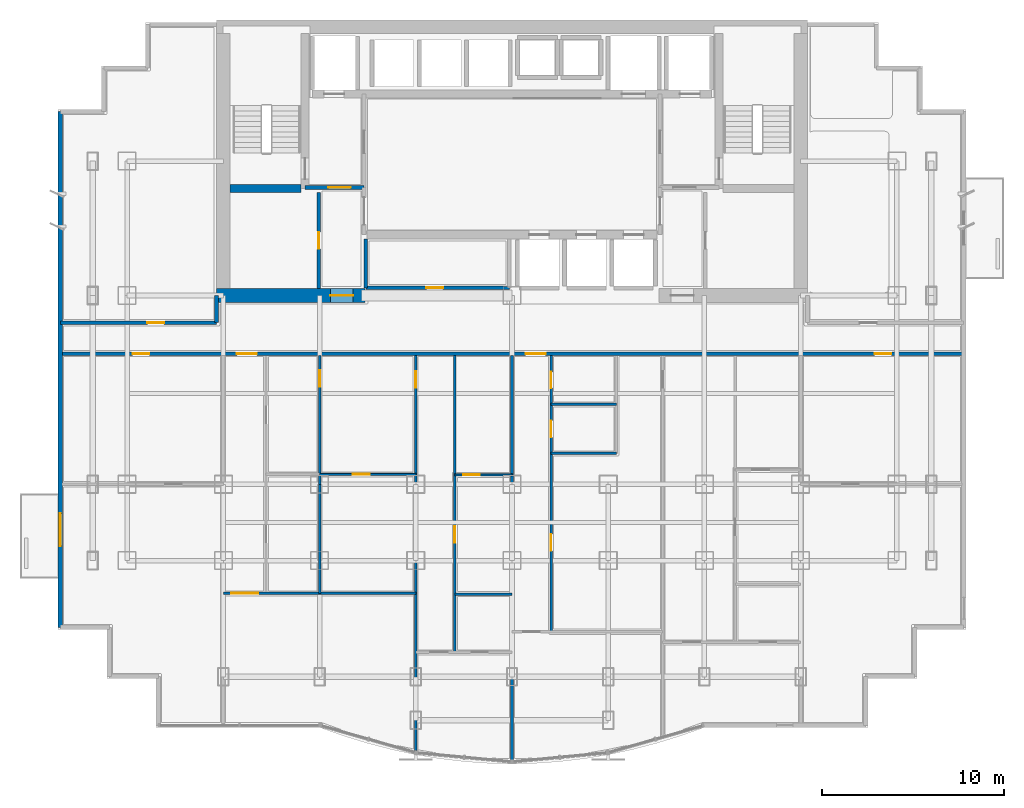
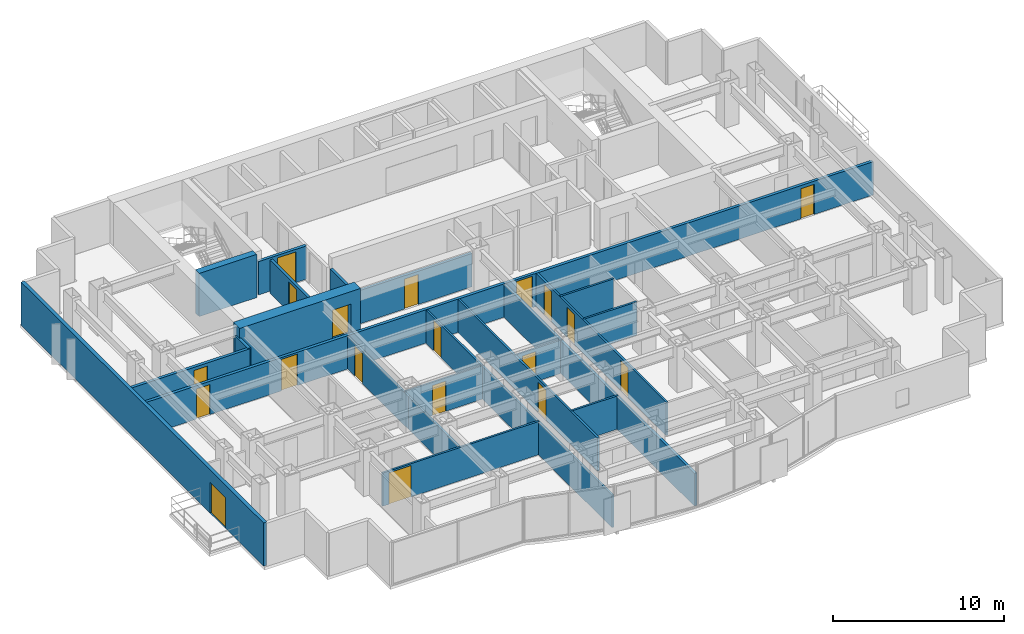
# One storey, part 5 of 10: 22 walls, 19 doors, 19 openings.
"""IFC4 building model written with IfcOpenShell, lengths in metres."""

from ifc_helpers import new_model, si_unit, direction, frame, frame_2d, origin, place, context, subcontext, project, spatial, rectangle, extrude, material, layer, layer_set, type_object, element, fill, save


model = new_model("IFC4")

# Units and contexts
model_context = context("Model", 3, precision=1e-05, world=origin(), true_north=direction((0.0, 1.0)))
body_context = subcontext(model_context, "Body", "Model", "MODEL_VIEW")
ifc_project = project(units=[si_unit("LENGTHUNIT", "METRE"), si_unit("AREAUNIT", "SQUARE_METRE"), si_unit("VOLUMEUNIT", "CUBIC_METRE"), si_unit("PLANEANGLEUNIT", "RADIAN"), si_unit("MASSUNIT", "GRAM", prefix="KILO")], contexts=[model_context])

# Site, building, storey
site_placement = place(None, origin())
site = spatial("IfcSite", under=ifc_project, at=site_placement, CompositionType="ELEMENT")
building_placement = place(site_placement, origin())
building = spatial("IfcBuilding", under=site, at=building_placement, Name="Qianlan Lanfeng Residences", CompositionType="ELEMENT")
storey_placement = place(building_placement, frame((0.0, 0.0, 98.199951171875)))
storey = spatial("IfcBuildingStorey", under=building, at=storey_placement, Name="L26", CompositionType="ELEMENT", Elevation=98.199951171875)

# Wall
ifc_material_1 = material(Name="Concrete C60", Category="concrete")
ifc_layer_1 = layer(ifc_material_1, 0.449951171875)
ifc_layer_set_1 = layer_set([ifc_layer_1], Name="Concrete C60")
wall_type_1 = type_object("IfcWallType", Name="CW-RC-450", PredefinedType="SHEAR", material=ifc_layer_set_1)
wall_1_placement = place(storey_placement, frame((10.97509765625, 31.10009765625, 0.0), z_axis=(0.0, 0.0, 1.0), x_axis=(1.0, 0.0, 0.0)))
element("IfcWall", 1, at=wall_1_placement, inside=storey, type_object=wall_type_1, Name="L26 Core Shear Wall ST1S", PredefinedType="SHEAR", context=body_context, shape_type="SweptSolid", body=[
    extrude(rectangle(XDim=3.89990234375, YDim=0.449951171875, at=frame_2d((1.949951171875, 0.0))), origin(), (0.0, 0.0, 1.0), 3.090087890625),
])

# Wall, opening, door
ifc_layer_2 = layer(ifc_material_1, 0.75)
ifc_layer_set_2 = layer_set([ifc_layer_2], Name="Concrete C60")
wall_type_2 = type_object("IfcWallType", Name="CW-RC-750", PredefinedType="SHEAR", material=ifc_layer_set_2)
wall_2_placement = place(storey_placement, frame((10.22509765625, 25.199951171875, 0.0), z_axis=(0.0, 0.0, 1.0), x_axis=(1.0, 0.0, 0.0)))
wall_2 = element("IfcWall", 2, at=wall_2_placement, inside=storey, type_object=wall_type_2, Name="L26 Core Shear Wall SW", PredefinedType="SHEAR", context=body_context, shape_type="SweptSolid", body=[
    extrude(rectangle(XDim=8.1748046875, YDim=0.75, at=frame_2d((4.08740234375, 0.0))), origin(), (0.0, 0.0, 1.0), 3.090087890625),
])
opening_1_placement = place(wall_2_placement, frame((6.27490234375, 0.0, 0.0)))
opening_1 = element("IfcOpeningElement", 3, at=opening_1_placement, cuts=wall_2, Name="Opening L26-D01", PredefinedType="OPENING", context=body_context, shape_type="SweptSolid", body=[
    extrude(rectangle(XDim=1.25, YDim=2.199951171875, at=frame_2d((0.625, 1.10009765625))), frame((0.0, 0.385009765625, 0.0), z_axis=(0.0, -1.0, 0.0), x_axis=(1.0, 0.0, 0.0)), (0.0, 0.0, 1.0), 0.77001953125),
])
ifc_material_2 = material(Name="Painted Galvanised Steel Fire Door", Category="steel")
door_type_1 = type_object("IfcDoorType", Name="DT-FFL", OperationType="NOTDEFINED", PredefinedType="DOOR", material=ifc_material_2)
door_1_placement = place(opening_1_placement, origin())
door_1 = element("IfcDoor", 4, at=door_1_placement, inside=storey, type_object=door_type_1, Name="L26 West Core Lobby Smoke Door L26-D01 (DT-FFL)", OperationType="SINGLE_SWING_RIGHT", OverallHeight=2.199951171875, OverallWidth=1.25, PredefinedType="DOOR", context=body_context, shape_type="SweptSolid", body=[
    extrude(rectangle(XDim=1.25, YDim=2.199951171875, at=frame_2d((0.625, 1.10009765625))), frame((0.0, 0.02490234375, 0.0), z_axis=(0.0, -1.0, 0.0), x_axis=(1.0, 0.0, 0.0)), (0.0, 0.0, 1.0), 0.050048828125),
])
fill(opening_1, door_1)

ifc_material_3 = material(Name="Concrete C42", Category="concrete")
ifc_layer_3 = layer(ifc_material_3, 0.239990234375)
ifc_layer_set_3 = layer_set([ifc_layer_3], Name="Concrete C42")
wall_type_3 = type_object("IfcWallType", Name="EW-240", PredefinedType="SOLIDWALL", material=ifc_layer_set_3)
wall_3_placement = place(storey_placement, frame((1.6201171875, 35.330078125, 0.0), z_axis=(0.0, 0.0, 1.0), x_axis=(0.0, -1.0, 0.0)))
wall_3 = element("IfcWall", 5, at=wall_3_placement, inside=storey, type_object=wall_type_3, Name="L26 Terrace/Balcony Access Exterior Wall 21", PredefinedType="SOLIDWALL", context=body_context, shape_type="SweptSolid", body=[
    extrude(rectangle(XDim=28.41015625, YDim=0.239990234375, at=frame_2d((14.205078125, 0.0))), origin(), (0.0, 0.0, 1.0), 3.090087890625),
])
opening_2_placement = place(wall_3_placement, frame((22.1298828125, 0.0, 0.0)))
opening_2 = element("IfcOpeningElement", 6, at=opening_2_placement, cuts=wall_3, Name="Opening L26-D-WB-S", PredefinedType="OPENING", context=body_context, shape_type="SweptSolid", body=[
    extrude(rectangle(XDim=1.800048828125, YDim=2.199951171875, at=frame_2d((0.89990234375, 1.10009765625))), frame((0.0, 0.1298828125, 0.0), z_axis=(0.0, -1.0, 0.0), x_axis=(1.0, 0.0, 0.0)), (0.0, 0.0, 1.0), 0.260009765625),
])
ifc_material_4 = material(Name="Anodised Bronze Aluminium Framed Glass", Category="aluminium")
door_type_2 = type_object("IfcDoorType", Name="DT-BAL1", OperationType="NOTDEFINED", PredefinedType="DOOR", material=ifc_material_4)
door_2_placement = place(opening_2_placement, frame((1.800048828125, 0.0, 0.0), z_axis=(0.0, 0.0, 1.0), x_axis=(-1.0, 0.0, 0.0)))
door_2 = element("IfcDoor", 7, at=door_2_placement, inside=storey, type_object=door_type_2, Name="L26 Exterior Access Door WB-S", OperationType="DOUBLE_DOOR_SLIDING", OverallHeight=2.199951171875, OverallWidth=1.800048828125, PredefinedType="DOOR", context=body_context, shape_type="SweptSolid", body=[
    extrude(rectangle(XDim=1.800048828125, YDim=2.199951171875, at=frame_2d((0.89990234375, 1.10009765625))), frame((0.0, 0.02490234375, 0.0), z_axis=(0.0, -1.0, 0.0), x_axis=(1.0, 0.0, 0.0)), (0.0, 0.0, 1.0), 0.050048828125),
])
fill(opening_2, door_2)

ifc_material_5 = material(Name="Demountable Acoustic Framing Partition 110 mm")
ifc_layer_4 = layer(ifc_material_5, 0.110107421875)
ifc_layer_set_4 = layer_set([ifc_layer_4], Name="Demountable Acoustic Framing Partition 110 mm")
wall_type_4 = type_object("IfcWallType", Name="PW-110", PredefinedType="MOVABLE", material=ifc_layer_set_4)
wall_4_placement = place(storey_placement, frame((15.89990234375, 15.344970703125, 0.0), z_axis=(0.0, 0.0, 1.0), x_axis=(1.0, 0.0, 0.0)))
wall_4 = element("IfcWall", 8, at=wall_4_placement, inside=storey, type_object=wall_type_4, Name="L26 U01 Study Split", PredefinedType="MOVABLE", context=body_context, shape_type="SweptSolid", body=[
    extrude(rectangle(XDim=5.300048828125, YDim=0.110107421875, at=frame_2d((2.64990234375, 0.0))), origin(), (0.0, 0.0, 1.0), 2.380126953125),
])
opening_3_placement = place(wall_4_placement, frame((1.840087890625, 0.0, 0.0)))
opening_3 = element("IfcOpeningElement", 9, at=opening_3_placement, cuts=wall_4, Name="Opening L26-D20", PredefinedType="OPENING", context=body_context, shape_type="SweptSolid", body=[
    extrude(rectangle(XDim=0.919921875, YDim=2.14990234375, at=frame_2d((0.4599609375, 1.074951171875))), frame((0.0, 0.06494140625, 0.0), z_axis=(0.0, -1.0, 0.0), x_axis=(1.0, 0.0, 0.0)), (0.0, 0.0, 1.0), 0.130126953125),
])
ifc_material_6 = material(Name="Glazed Timber Kitchen/Study Door", Category="wood")
door_type_3 = type_object("IfcDoorType", Name="DT-INT", OperationType="NOTDEFINED", PredefinedType="DOOR", material=ifc_material_6)
door_3_placement = place(opening_3_placement, origin())
door_3 = element("IfcDoor", 10, at=door_3_placement, inside=storey, type_object=door_type_3, Name="L26 U01 Study Inner Door L26-D20 (DT-INT)", OperationType="SINGLE_SWING_LEFT", OverallHeight=2.14990234375, OverallWidth=0.919921875, PredefinedType="DOOR", context=body_context, shape_type="SweptSolid", body=[
    extrude(rectangle(XDim=0.919921875, YDim=2.14990234375, at=frame_2d((0.4599609375, 1.074951171875))), frame((0.0, 0.02490234375, 0.0), z_axis=(0.0, -1.0, 0.0), x_axis=(1.0, 0.0, 0.0)), (0.0, 0.0, 1.0), 0.050048828125),
])
fill(opening_3, door_3)

wall_5_placement = place(storey_placement, frame((23.35009765625, 15.322998046875, 0.0), z_axis=(0.0, 0.0, 1.0), x_axis=(1.0, 0.0, 0.0)))
wall_5 = element("IfcWall", 11, at=wall_5_placement, inside=storey, type_object=wall_type_4, Name="L26 U01 Wardrobe Split", PredefinedType="MOVABLE", context=body_context, shape_type="SweptSolid", body=[
    extrude(rectangle(XDim=3.14990234375, YDim=0.110107421875, at=frame_2d((1.574951171875, 0.0))), origin(), (0.0, 0.0, 1.0), 2.380126953125),
])
opening_4_placement = place(wall_5_placement, frame((0.465087890625, 0.0, 0.0)))
opening_4 = element("IfcOpeningElement", 12, at=opening_4_placement, cuts=wall_5, Name="Opening L26-D24", PredefinedType="OPENING", context=body_context, shape_type="SweptSolid", body=[
    extrude(rectangle(XDim=0.919921875, YDim=2.14990234375, at=frame_2d((0.4599609375, 1.074951171875))), frame((0.0, 0.06494140625, 0.0), z_axis=(0.0, -1.0, 0.0), x_axis=(1.0, 0.0, 0.0)), (0.0, 0.0, 1.0), 0.130126953125),
])
door_4_placement = place(opening_4_placement, origin())
door_4 = element("IfcDoor", 13, at=door_4_placement, inside=storey, type_object=door_type_3, Name="L26 U01 Dressing Inner Door L26-D24 (DT-INT)", OperationType="SINGLE_SWING_RIGHT", OverallHeight=2.14990234375, OverallWidth=0.919921875, PredefinedType="DOOR", context=body_context, shape_type="SweptSolid", body=[
    extrude(rectangle(XDim=0.919921875, YDim=2.14990234375, at=frame_2d((0.4599609375, 1.074951171875))), frame((0.0, 0.02490234375, 0.0), z_axis=(0.0, -1.0, 0.0), x_axis=(1.0, 0.0, 0.0)), (0.0, 0.0, 1.0), 0.050048828125),
])
fill(opening_4, door_4)

ifc_material_7 = material(Name="Moisture-Resistant Gypsum Partition 135 mm")
ifc_layer_5 = layer(ifc_material_7, 0.135009765625)
ifc_layer_set_5 = layer_set([ifc_layer_5], Name="Moisture-Resistant Gypsum Partition 135 mm")
wall_type_5 = type_object("IfcWallType", Name="PW-135", PredefinedType="PARTITIONING", material=ifc_layer_set_5)
wall_6_placement = place(storey_placement, frame((15.89990234375, 14.800048828125, 0.0), z_axis=(0.0, 0.0, 1.0), x_axis=(0.0, 1.0, 0.0)))
wall_6 = element("IfcWall", 14, at=wall_6_placement, inside=storey, type_object=wall_type_5, Name="L26 U01 North Spine Wall", PredefinedType="PARTITIONING", context=body_context, shape_type="SweptSolid", body=[
    extrude(rectangle(XDim=7.099853515625, YDim=0.135009765625, at=frame_2d((3.5498046875, 0.0))), origin(), (0.0, 0.0, 1.0), 2.3349609375),
])
opening_5_placement = place(wall_6_placement, frame((5.364990234375, 0.0, 0.0)))
opening_5 = element("IfcOpeningElement", 15, at=opening_5_placement, cuts=wall_6, Name="Opening L26-D15", PredefinedType="OPENING", context=body_context, shape_type="SweptSolid", body=[
    extrude(rectangle(XDim=0.919921875, YDim=2.14990234375, at=frame_2d((0.4599609375, 1.074951171875))), frame((0.0, 0.07763671875, 0.0), z_axis=(0.0, -1.0, 0.0), x_axis=(1.0, 0.0, 0.0)), (0.0, 0.0, 1.0), 0.155029296875),
])
door_5_placement = place(opening_5_placement, origin())
door_5 = element("IfcDoor", 16, at=door_5_placement, inside=storey, type_object=door_type_3, Name="L26 U01 North Suite Door L26-D15 (DT-INT)", OperationType="SINGLE_SWING_RIGHT", OverallHeight=2.14990234375, OverallWidth=0.919921875, PredefinedType="DOOR", context=body_context, shape_type="SweptSolid", body=[
    extrude(rectangle(XDim=0.919921875, YDim=2.14990234375, at=frame_2d((0.4599609375, 1.074951171875))), frame((0.0, 0.02490234375, 0.0), z_axis=(0.0, -1.0, 0.0), x_axis=(1.0, 0.0, 0.0)), (0.0, 0.0, 1.0), 0.050048828125),
])
fill(opening_5, door_5)

wall_7_placement = place(storey_placement, frame((21.199951171875, 0.126953125, 0.0), z_axis=(0.0, 0.0, 1.0), x_axis=(0.0, 1.0, 0.0)))
wall_7 = element("IfcWall", 17, at=wall_7_placement, inside=storey, type_object=wall_type_5, Name="L26 U01 Bay Spine Wall 2", PredefinedType="PARTITIONING", context=body_context, shape_type="SweptSolid", body=[
    extrude(rectangle(XDim=21.77294921875, YDim=0.135009765625, at=frame_2d((10.886474609375, 0.0))), origin(), (0.0, 0.0, 1.0), 2.3349609375),
])
opening_6_placement = place(wall_7_placement, frame((19.988037109375, 0.0, 0.0)))
opening_6 = element("IfcOpeningElement", 18, at=opening_6_placement, cuts=wall_7, Name="Opening L26-D16", PredefinedType="OPENING", context=body_context, shape_type="SweptSolid", body=[
    extrude(rectangle(XDim=0.919921875, YDim=2.14990234375, at=frame_2d((0.4599609375, 1.074951171875))), frame((0.0, 0.07763671875, 0.0), z_axis=(0.0, -1.0, 0.0), x_axis=(1.0, 0.0, 0.0)), (0.0, 0.0, 1.0), 0.155029296875),
])
door_6_placement = place(opening_6_placement, origin())
door_6 = element("IfcDoor", 19, at=door_6_placement, inside=storey, type_object=door_type_3, Name="L26 U01 Internal Hall Door L26-D16 (DT-INT)", OperationType="SINGLE_SWING_LEFT", OverallHeight=2.14990234375, OverallWidth=0.919921875, PredefinedType="DOOR", context=body_context, shape_type="SweptSolid", body=[
    extrude(rectangle(XDim=0.919921875, YDim=2.14990234375, at=frame_2d((0.4599609375, 1.074951171875))), frame((0.0, 0.02490234375, 0.0), z_axis=(0.0, -1.0, 0.0), x_axis=(1.0, 0.0, 0.0)), (0.0, 0.0, 1.0), 0.050048828125),
])
fill(opening_6, door_6)

# Wall
wall_8_placement = place(storey_placement, frame((15.89990234375, 8.7900390625, 0.0), z_axis=(0.0, 0.0, 1.0), x_axis=(0.0, 1.0, 0.0)))
element("IfcWall", 20, at=wall_8_placement, inside=storey, type_object=wall_type_5, Name="L26 U01 Mid Column Wall", PredefinedType="PARTITIONING", context=body_context, shape_type="SweptSolid", body=[
    extrude(rectangle(XDim=6.010009765625, YDim=0.135009765625, at=frame_2d((3.0048828125, 0.0))), origin(), (0.0, 0.0, 1.0), 2.3349609375),
])

# Wall, opening, door
wall_9_placement = place(storey_placement, frame((10.60009765625, 8.7900390625, 0.0), z_axis=(0.0, 0.0, 1.0), x_axis=(1.0, 0.0, 0.0)))
wall_9 = element("IfcWall", 21, at=wall_9_placement, inside=storey, type_object=wall_type_5, Name="L26 U01 Grand Living North Wall", PredefinedType="PARTITIONING", context=body_context, shape_type="SweptSolid", body=[
    extrude(rectangle(XDim=10.599853515625, YDim=0.135009765625, at=frame_2d((5.2998046875, 0.0))), origin(), (0.0, 0.0, 1.0), 2.380126953125),
])
opening_7_placement = place(wall_9_placement, frame((0.425048828125, 0.0, 0.0)))
opening_7 = element("IfcOpeningElement", 22, at=opening_7_placement, cuts=wall_9, Name="Opening L26-D17", PredefinedType="OPENING", context=body_context, shape_type="SweptSolid", body=[
    extrude(rectangle(XDim=1.5, YDim=2.25, at=frame_2d((0.75, 1.125))), frame((0.0, 0.07763671875, 0.0), z_axis=(0.0, -1.0, 0.0), x_axis=(1.0, 0.0, 0.0)), (0.0, 0.0, 1.0), 0.155029296875),
])
ifc_material_8 = material(Name="Timber Veneer Acoustic Fire Door", Category="wood")
door_type_4 = type_object("IfcDoorType", Name="DT-COR1", OperationType="NOTDEFINED", PredefinedType="DOOR", material=ifc_material_8)
door_7_placement = place(opening_7_placement, origin())
door_7 = element("IfcDoor", 23, at=door_7_placement, inside=storey, type_object=door_type_4, Name="L26 U01 Grand Living Door L26-D17 (DT-COR1)", OperationType="DOUBLE_DOOR_SINGLE_SWING", OverallHeight=2.25, OverallWidth=1.5, PredefinedType="DOOR", context=body_context, shape_type="SweptSolid", body=[
    extrude(rectangle(XDim=1.5, YDim=2.25, at=frame_2d((0.75, 1.125))), frame((0.0, 0.02490234375, 0.0), z_axis=(0.0, -1.0, 0.0), x_axis=(1.0, 0.0, 0.0)), (0.0, 0.0, 1.0), 0.050048828125),
])
fill(opening_7, door_7)

wall_10_placement = place(storey_placement, frame((23.35009765625, 5.547119140625, 0.0), z_axis=(0.0, 0.0, 1.0), x_axis=(0.0, 1.0, 0.0)))
wall_10 = element("IfcWall", 24, at=wall_10_placement, inside=storey, type_object=wall_type_5, Name="L26 U01 Master Passage Wall", PredefinedType="PARTITIONING", context=body_context, shape_type="SweptSolid", body=[
    extrude(rectangle(XDim=16.352783203125, YDim=0.135009765625, at=frame_2d((8.17626953125, 0.0))), origin(), (0.0, 0.0, 1.0), 2.380126953125),
])
opening_8_placement = place(wall_10_placement, frame((6.028076171875, 0.0, 0.0)))
opening_8 = element("IfcOpeningElement", 25, at=opening_8_placement, cuts=wall_10, Name="Opening L26-D23", PredefinedType="OPENING", context=body_context, shape_type="SweptSolid", body=[
    extrude(rectangle(XDim=0.919921875, YDim=2.14990234375, at=frame_2d((0.4599609375, 1.074951171875))), frame((0.0, 0.07763671875, 0.0), z_axis=(0.0, -1.0, 0.0), x_axis=(1.0, 0.0, 0.0)), (0.0, 0.0, 1.0), 0.155029296875),
])
door_8_placement = place(opening_8_placement, origin())
door_8 = element("IfcDoor", 26, at=door_8_placement, inside=storey, type_object=door_type_3, Name="L26 U01 Wardrobe Door L26-D23 (DT-INT)", OperationType="SINGLE_SWING_RIGHT", OverallHeight=2.14990234375, OverallWidth=0.919921875, PredefinedType="DOOR", context=body_context, shape_type="SweptSolid", body=[
    extrude(rectangle(XDim=0.919921875, YDim=2.14990234375, at=frame_2d((0.4599609375, 1.074951171875))), frame((0.0, 0.02490234375, 0.0), z_axis=(0.0, -1.0, 0.0), x_axis=(1.0, 0.0, 0.0)), (0.0, 0.0, 1.0), 0.050048828125),
])
fill(opening_8, door_8)

# Wall
wall_11_placement = place(storey_placement, frame((23.35009765625, 8.7470703125, 0.0), z_axis=(0.0, 0.0, 1.0), x_axis=(1.0, 0.0, 0.0)))
element("IfcWall", 27, at=wall_11_placement, inside=storey, type_object=wall_type_5, Name="L26 U01 En-Suite North Wall", PredefinedType="PARTITIONING", context=body_context, shape_type="SweptSolid", body=[
    extrude(rectangle(XDim=3.14990234375, YDim=0.135009765625, at=frame_2d((1.574951171875, 0.0))), origin(), (0.0, 0.0, 1.0), 2.380126953125),
])

# Wall, openings, doors
wall_12_placement = place(storey_placement, frame((28.64990234375, 6.680908203125, 0.0), z_axis=(0.0, 0.0, 1.0), x_axis=(0.0, 1.0, 0.0)))
wall_12 = element("IfcWall", 28, at=wall_12_placement, inside=storey, type_object=wall_type_5, Name="L26 U02 Entry Hall Spine", PredefinedType="PARTITIONING", context=body_context, shape_type="SweptSolid", body=[
    extrude(rectangle(XDim=15.218994140625, YDim=0.135009765625, at=frame_2d((7.609375, 0.0))), origin(), (0.0, 0.0, 1.0), 2.380126953125),
])
opening_9_placement = place(wall_12_placement, frame((4.449951171875, 0.0, 0.0)))
opening_9 = element("IfcOpeningElement", 29, at=opening_9_placement, cuts=wall_12, Name="Opening L26-D28", PredefinedType="OPENING", context=body_context, shape_type="SweptSolid", body=[
    extrude(rectangle(XDim=0.919921875, YDim=2.14990234375, at=frame_2d((0.4599609375, 1.074951171875))), frame((0.0, 0.07763671875, 0.0), z_axis=(0.0, -1.0, 0.0), x_axis=(1.0, 0.0, 0.0)), (0.0, 0.0, 1.0), 0.155029296875),
])
opening_10_placement = place(wall_12_placement, frame((10.708984375, 0.0, 0.0)))
opening_10 = element("IfcOpeningElement", 30, at=opening_10_placement, cuts=wall_12, Name="Opening L26-D29", PredefinedType="OPENING", context=body_context, shape_type="SweptSolid", body=[
    extrude(rectangle(XDim=0.919921875, YDim=2.14990234375, at=frame_2d((0.4599609375, 1.074951171875))), frame((0.0, 0.07763671875, 0.0), z_axis=(0.0, -1.0, 0.0), x_axis=(1.0, 0.0, 0.0)), (0.0, 0.0, 1.0), 0.155029296875),
])
opening_11_placement = place(wall_12_placement, frame((13.4189453125, 0.0, 0.0)))
opening_11 = element("IfcOpeningElement", 31, at=opening_11_placement, cuts=wall_12, Name="Opening L26-D30", PredefinedType="OPENING", context=body_context, shape_type="SweptSolid", body=[
    extrude(rectangle(XDim=0.89990234375, YDim=2.14990234375, at=frame_2d((0.449951171875, 1.074951171875))), frame((0.0, 0.07763671875, 0.0), z_axis=(0.0, -1.0, 0.0), x_axis=(1.0, 0.0, 0.0)), (0.0, 0.0, 1.0), 0.155029296875),
])
door_9_placement = place(opening_9_placement, origin())
door_9 = element("IfcDoor", 32, at=door_9_placement, inside=storey, type_object=door_type_3, Name="L26 U02 Study Door L26-D28 (DT-INT)", OperationType="SINGLE_SWING_LEFT", OverallHeight=2.14990234375, OverallWidth=0.919921875, PredefinedType="DOOR", context=body_context, shape_type="SweptSolid", body=[
    extrude(rectangle(XDim=0.919921875, YDim=2.14990234375, at=frame_2d((0.4599609375, 1.074951171875))), frame((0.0, 0.02490234375, 0.0), z_axis=(0.0, -1.0, 0.0), x_axis=(1.0, 0.0, 0.0)), (0.0, 0.0, 1.0), 0.050048828125),
])
fill(opening_9, door_9)
door_10_placement = place(opening_10_placement, origin())
door_10 = element("IfcDoor", 33, at=door_10_placement, inside=storey, type_object=door_type_3, Name="L26 U02 Kitchen Door L26-D29 (DT-INT)", OperationType="SINGLE_SWING_RIGHT", OverallHeight=2.14990234375, OverallWidth=0.919921875, PredefinedType="DOOR", context=body_context, shape_type="SweptSolid", body=[
    extrude(rectangle(XDim=0.919921875, YDim=2.14990234375, at=frame_2d((0.4599609375, 1.074951171875))), frame((0.0, 0.02490234375, 0.0), z_axis=(0.0, -1.0, 0.0), x_axis=(1.0, 0.0, 0.0)), (0.0, 0.0, 1.0), 0.050048828125),
])
fill(opening_10, door_10)
ifc_material_9 = material(Name="Moisture-Resistant Timber Leaf", Category="wood")
door_type_5 = type_object("IfcDoorType", Name="DT-WC", OperationType="NOTDEFINED", PredefinedType="DOOR", material=ifc_material_9)
door_11_placement = place(opening_11_placement, origin())
door_11 = element("IfcDoor", 34, at=door_11_placement, inside=storey, type_object=door_type_5, Name="L26 U02 Bathroom Door L26-D30 (DT-WC)", OperationType="SINGLE_SWING_LEFT", OverallHeight=2.14990234375, OverallWidth=0.89990234375, PredefinedType="DOOR", context=body_context, shape_type="SweptSolid", body=[
    extrude(rectangle(XDim=0.89990234375, YDim=2.14990234375, at=frame_2d((0.449951171875, 1.074951171875))), frame((0.0, 0.02490234375, 0.0), z_axis=(0.0, -1.0, 0.0), x_axis=(1.0, 0.0, 0.0)), (0.0, 0.0, 1.0), 0.050048828125),
])
fill(opening_11, door_11)

# Walls
for number, where, z_axis, x_axis, name in (
    (35, (28.64990234375, 16.5, 0.0), (0.0, 0.0, 1.0), (1.0, 0.0, 0.0), "L26 U02 Kitchen South Wall"),
    (36, (28.64990234375, 19.199951171875, 0.0), (0.0, 0.0, 1.0), (1.0, 0.0, 0.0), "L26 U02 Bathroom South Wall"),
):
    element("IfcWall", number, at=place(storey_placement, frame(where, z_axis=z_axis, x_axis=x_axis)), inside=storey, type_object=wall_type_5, Name=name, PredefinedType="PARTITIONING", context=body_context, shape_type="SweptSolid", body=[
        extrude(rectangle(XDim=3.60009765625, YDim=0.135009765625, at=frame_2d((1.800048828125, 0.0))), origin(), (0.0, 0.0, 1.0), 2.380126953125),
    ])

# Wall, opening, door
ifc_material_10 = material(Name="Double-Layer Acoustic Gypsum Stud Wall 180 mm")
ifc_layer_6 = layer(ifc_material_10, 0.179931640625)
ifc_layer_set_6 = layer_set([ifc_layer_6], Name="Double-Layer Acoustic Gypsum Stud Wall 180 mm")
wall_type_6 = type_object("IfcWallType", Name="PW-180", PredefinedType="PARTITIONING", material=ifc_layer_set_6)
wall_13_placement = place(storey_placement, frame((15.85009765625, 25.574951171875, 0.0), z_axis=(0.0, 0.0, 1.0), x_axis=(0.0, 1.0, 0.0)))
wall_13 = element("IfcWall", 37, at=wall_13_placement, inside=storey, type_object=wall_type_6, Name="L26 Core West Service Room Wall", PredefinedType="PARTITIONING", context=body_context, shape_type="SweptSolid", body=[
    extrude(rectangle(XDim=5.300048828125, YDim=0.179931640625, at=frame_2d((2.64990234375, 0.0))), origin(), (0.0, 0.0, 1.0), 2.380126953125),
])
opening_12_placement = place(wall_13_placement, frame((2.18994140625, 0.0, 0.0)))
opening_12 = element("IfcOpeningElement", 38, at=opening_12_placement, cuts=wall_13, Name="Opening L26-D09", PredefinedType="OPENING", context=body_context, shape_type="SweptSolid", body=[
    extrude(rectangle(XDim=0.919921875, YDim=2.14990234375, at=frame_2d((0.4599609375, 1.074951171875))), frame((0.0, 0.10009765625, 0.0), z_axis=(0.0, -1.0, 0.0), x_axis=(1.0, 0.0, 0.0)), (0.0, 0.0, 1.0), 0.199951171875),
])
door_12_placement = place(opening_12_placement, origin())
door_12 = element("IfcDoor", 39, at=door_12_placement, inside=storey, type_object=door_type_3, Name="L26 Core Storage Door L26-D09 (DT-INT)", OperationType="SINGLE_SWING_RIGHT", OverallHeight=2.14990234375, OverallWidth=0.919921875, PredefinedType="DOOR", context=body_context, shape_type="SweptSolid", body=[
    extrude(rectangle(XDim=0.919921875, YDim=2.14990234375, at=frame_2d((0.4599609375, 1.074951171875))), frame((0.0, 0.02490234375, 0.0), z_axis=(0.0, -1.0, 0.0), x_axis=(1.0, 0.0, 0.0)), (0.0, 0.0, 1.0), 0.050048828125),
])
fill(opening_12, door_12)

# Wall
wall_14_placement = place(storey_placement, frame((18.449951171875, 25.6201171875, 0.0), z_axis=(0.0, 0.0, 1.0), x_axis=(0.0, 1.0, 0.0)))
element("IfcWall", 40, at=wall_14_placement, inside=storey, type_object=wall_type_6, Name="L26 Reclaimed Low-Bank Room West Wall", PredefinedType="PARTITIONING", context=body_context, shape_type="SweptSolid", body=[
    extrude(rectangle(XDim=2.704833984375, YDim=0.179931640625, at=frame_2d((1.3525390625, 0.0))), origin(), (0.0, 0.0, 1.0), 2.380126953125),
])

# Wall, opening, door
wall_15_placement = place(storey_placement, frame((18.449951171875, 25.6201171875, 0.0), z_axis=(0.0, 0.0, 1.0), x_axis=(1.0, 0.0, 0.0)))
wall_15 = element("IfcWall", 41, at=wall_15_placement, inside=storey, type_object=wall_type_6, Name="L26 Reclaimed Low-Bank Room South Wall", PredefinedType="PARTITIONING", context=body_context, shape_type="SweptSolid", body=[
    extrude(rectangle(XDim=7.900146484375, YDim=0.179931640625, at=frame_2d((3.9501953125, 0.0))), origin(), (0.0, 0.0, 1.0), 2.380126953125),
])
opening_13_placement = place(wall_15_placement, frame((3.340087890625, 0.0, 0.0)))
opening_13 = element("IfcOpeningElement", 42, at=opening_13_placement, cuts=wall_15, Name="Opening L26-D13", PredefinedType="OPENING", context=body_context, shape_type="SweptSolid", body=[
    extrude(rectangle(XDim=0.919921875, YDim=2.14990234375, at=frame_2d((0.4599609375, 1.074951171875))), frame((0.0, 0.10009765625, 0.0), z_axis=(0.0, -1.0, 0.0), x_axis=(1.0, 0.0, 0.0)), (0.0, 0.0, 1.0), 0.199951171875),
])
door_13_placement = place(opening_13_placement, origin())
door_13 = element("IfcDoor", 43, at=door_13_placement, inside=storey, type_object=door_type_3, Name="L26 Reclaimed Core Salon Door L26-D13 (DT-INT)", OperationType="SINGLE_SWING_RIGHT", OverallHeight=2.14990234375, OverallWidth=0.919921875, PredefinedType="DOOR", context=body_context, shape_type="SweptSolid", body=[
    extrude(rectangle(XDim=0.919921875, YDim=2.14990234375, at=frame_2d((0.4599609375, 1.074951171875))), frame((0.0, 0.02490234375, 0.0), z_axis=(0.0, -1.0, 0.0), x_axis=(1.0, 0.0, 0.0)), (0.0, 0.0, 1.0), 0.050048828125),
])
fill(opening_13, door_13)

# Wall
wall_16_placement = place(storey_placement, frame((26.5, -0.3798828125, 0.0), z_axis=(0.0, 0.0, 1.0), x_axis=(0.0, 1.0, 0.0)))
element("IfcWall", 44, at=wall_16_placement, inside=storey, type_object=wall_type_6, Name="L26 Inter-Tenancy Party Wall 2", PredefinedType="PARTITIONING", context=body_context, shape_type="SweptSolid", body=[
    extrude(rectangle(XDim=22.27978515625, YDim=0.179931640625, at=frame_2d((11.139892578125, 0.0))), origin(), (0.0, 0.0, 1.0), 2.3349609375),
])

# Wall, opening, door
ifc_material_11 = material(Name="Autoclaved Aerated Concrete Blockwork 200 mm", Category="masonry")
ifc_layer_7 = layer(ifc_material_11, 0.199951171875)
ifc_layer_set_7 = layer_set([ifc_layer_7], Name="Autoclaved Aerated Concrete Blockwork 200 mm")
wall_type_7 = type_object("IfcWallType", Name="PW-200", PredefinedType="PARTITIONING", material=ifc_layer_set_7)
wall_17_placement = place(storey_placement, frame((15.10009765625, 31.14990234375, 0.0), z_axis=(0.0, 0.0, 1.0), x_axis=(1.0, 0.0, 0.0)))
wall_17 = element("IfcWall", 45, at=wall_17_placement, inside=storey, type_object=wall_type_7, Name="L26 Firefighting Lobby 1 South Wall", PredefinedType="PARTITIONING", context=body_context, shape_type="SweptSolid", body=[
    extrude(rectangle(XDim=3.25, YDim=0.199951171875, at=frame_2d((1.625, 0.0))), origin(), (0.0, 0.0, 1.0), 2.380126953125),
])
opening_14_placement = place(wall_17_placement, frame((1.27490234375, 0.0, 0.0)))
opening_14 = element("IfcOpeningElement", 46, at=opening_14_placement, cuts=wall_17, Name="Opening L26-D03", PredefinedType="OPENING", context=body_context, shape_type="SweptSolid", body=[
    extrude(rectangle(XDim=1.25, YDim=2.199951171875, at=frame_2d((0.625, 1.10009765625))), frame((0.0, 0.10986328125, 0.0), z_axis=(0.0, -1.0, 0.0), x_axis=(1.0, 0.0, 0.0)), (0.0, 0.0, 1.0), 0.219970703125),
])
door_14_placement = place(opening_14_placement, origin())
door_14 = element("IfcDoor", 47, at=door_14_placement, inside=storey, type_object=door_type_1, Name="L26 Firefighting Lobby 1 Entry Door L26-D03 (DT-FFL)", OperationType="SINGLE_SWING_LEFT", OverallHeight=2.199951171875, OverallWidth=1.25, PredefinedType="DOOR", context=body_context, shape_type="SweptSolid", body=[
    extrude(rectangle(XDim=1.25, YDim=2.199951171875, at=frame_2d((0.625, 1.10009765625))), frame((0.0, 0.02490234375, 0.0), z_axis=(0.0, -1.0, 0.0), x_axis=(1.0, 0.0, 0.0)), (0.0, 0.0, 1.0), 0.050048828125),
])
fill(opening_14, door_14)

# Wall, openings, doors
wall_18_placement = place(storey_placement, frame((1.6201171875, 22.0, 0.0), z_axis=(0.0, 0.0, 1.0), x_axis=(1.0, 0.0, 0.0)))
wall_18 = element("IfcWall", 48, at=wall_18_placement, inside=storey, type_object=wall_type_7, Name="L26 Residential Corridor South Fire Wall", PredefinedType="PARTITIONING", context=body_context, shape_type="SweptSolid", body=[
    extrude(rectangle(XDim=49.759765625, YDim=0.199951171875, at=frame_2d((24.8798828125, 0.0))), origin(), (0.0, 0.0, 1.0), 2.380126953125),
])
opening_15_placement = place(wall_18_placement, frame((9.72998046875, 0.0, 0.0)))
opening_15 = element("IfcOpeningElement", 49, at=opening_15_placement, cuts=wall_18, Name="Opening L26-D14", PredefinedType="OPENING", context=body_context, shape_type="SweptSolid", body=[
    extrude(rectangle(XDim=1.10009765625, YDim=2.25, at=frame_2d((0.550048828125, 1.125))), frame((0.0, 0.10986328125, 0.0), z_axis=(0.0, -1.0, 0.0), x_axis=(1.0, 0.0, 0.0)), (0.0, 0.0, 1.0), 0.219970703125),
])
opening_16_placement = place(wall_18_placement, frame((25.6298828125, 0.0, 0.0)))
opening_16 = element("IfcOpeningElement", 50, at=opening_16_placement, cuts=wall_18, Name="Opening L26-D25", PredefinedType="OPENING", context=body_context, shape_type="SweptSolid", body=[
    extrude(rectangle(XDim=1.10009765625, YDim=2.25, at=frame_2d((0.550048828125, 1.125))), frame((0.0, 0.10986328125, 0.0), z_axis=(0.0, -1.0, 0.0), x_axis=(1.0, 0.0, 0.0)), (0.0, 0.0, 1.0), 0.219970703125),
])
opening_17_placement = place(wall_18_placement, frame((3.985107421875, 0.0, 0.0)))
opening_17 = element("IfcOpeningElement", 51, at=opening_17_placement, cuts=wall_18, Name="Opening L26-D36", PredefinedType="OPENING", context=body_context, shape_type="SweptSolid", body=[
    extrude(rectangle(XDim=0.919921875, YDim=2.14990234375, at=frame_2d((0.4599609375, 1.074951171875))), frame((0.0, 0.10986328125, 0.0), z_axis=(0.0, -1.0, 0.0), x_axis=(1.0, 0.0, 0.0)), (0.0, 0.0, 1.0), 0.219970703125),
])
opening_18_placement = place(wall_18_placement, frame((44.85498046875, 0.0, 0.0)))
opening_18 = element("IfcOpeningElement", 52, at=opening_18_placement, cuts=wall_18, Name="Opening L26-D38", PredefinedType="OPENING", context=body_context, shape_type="SweptSolid", body=[
    extrude(rectangle(XDim=0.919921875, YDim=2.14990234375, at=frame_2d((0.4599609375, 1.074951171875))), frame((0.0, 0.10986328125, 0.0), z_axis=(0.0, -1.0, 0.0), x_axis=(1.0, 0.0, 0.0)), (0.0, 0.0, 1.0), 0.219970703125),
])
door_15_placement = place(opening_17_placement, origin())
door_15 = element("IfcDoor", 53, at=door_15_placement, inside=storey, type_object=door_type_3, Name="L26 SWP Corridor Door L26-D36 (DT-INT)", OperationType="SINGLE_SWING_LEFT", OverallHeight=2.14990234375, OverallWidth=0.919921875, PredefinedType="DOOR", context=body_context, shape_type="SweptSolid", body=[
    extrude(rectangle(XDim=0.919921875, YDim=2.14990234375, at=frame_2d((0.4599609375, 1.074951171875))), frame((0.0, 0.02490234375, 0.0), z_axis=(0.0, -1.0, 0.0), x_axis=(1.0, 0.0, 0.0)), (0.0, 0.0, 1.0), 0.050048828125),
])
fill(opening_17, door_15)
door_16_placement = place(opening_18_placement, origin())
door_16 = element("IfcDoor", 54, at=door_16_placement, inside=storey, type_object=door_type_3, Name="L26 SEP Corridor Door L26-D38 (DT-INT)", OperationType="SINGLE_SWING_LEFT", OverallHeight=2.14990234375, OverallWidth=0.919921875, PredefinedType="DOOR", context=body_context, shape_type="SweptSolid", body=[
    extrude(rectangle(XDim=0.919921875, YDim=2.14990234375, at=frame_2d((0.4599609375, 1.074951171875))), frame((0.0, 0.02490234375, 0.0), z_axis=(0.0, -1.0, 0.0), x_axis=(1.0, 0.0, 0.0)), (0.0, 0.0, 1.0), 0.050048828125),
])
fill(opening_18, door_16)
ifc_material_12 = material(Name="Solid-Core Oak Veneer Fire Door")
door_type_6 = type_object("IfcDoorType", Name="DT-UNIT", OperationType="NOTDEFINED", PredefinedType="DOOR", material=ifc_material_12)
door_17_placement = place(opening_15_placement, origin())
door_17 = element("IfcDoor", 55, at=door_17_placement, inside=storey, type_object=door_type_6, Name="L26 Apartment U01 Entrance Door L26-D14 (DT-UNIT)", OperationType="SINGLE_SWING_RIGHT", OverallHeight=2.25, OverallWidth=1.10009765625, PredefinedType="DOOR", context=body_context, shape_type="SweptSolid", body=[
    extrude(rectangle(XDim=1.10009765625, YDim=2.25, at=frame_2d((0.550048828125, 1.125))), frame((0.0, 0.02490234375, 0.0), z_axis=(0.0, -1.0, 0.0), x_axis=(1.0, 0.0, 0.0)), (0.0, 0.0, 1.0), 0.050048828125),
])
fill(opening_15, door_17)
door_18_placement = place(opening_16_placement, origin())
door_18 = element("IfcDoor", 56, at=door_18_placement, inside=storey, type_object=door_type_6, Name="L26 Apartment U02 Entrance Door L26-D25 (DT-UNIT)", OperationType="SINGLE_SWING_RIGHT", OverallHeight=2.25, OverallWidth=1.10009765625, PredefinedType="DOOR", context=body_context, shape_type="SweptSolid", body=[
    extrude(rectangle(XDim=1.10009765625, YDim=2.25, at=frame_2d((0.550048828125, 1.125))), frame((0.0, 0.02490234375, 0.0), z_axis=(0.0, -1.0, 0.0), x_axis=(1.0, 0.0, 0.0)), (0.0, 0.0, 1.0), 0.050048828125),
])
fill(opening_16, door_18)

# Wall, opening, door
wall_19_placement = place(storey_placement, frame((1.6201171875, 23.699951171875, 0.0), z_axis=(0.0, 0.0, 1.0), x_axis=(1.0, 0.0, 0.0)))
wall_19 = element("IfcWall", 57, at=wall_19_placement, inside=storey, type_object=wall_type_7, Name="L26 Corridor NW Wall", PredefinedType="PARTITIONING", context=body_context, shape_type="SweptSolid", body=[
    extrude(rectangle(XDim=8.60498046875, YDim=0.199951171875, at=frame_2d((4.302490234375, 0.0))), origin(), (0.0, 0.0, 1.0), 2.380126953125),
])
opening_19_placement = place(wall_19_placement, frame((4.7919921875, 0.0, 0.0)))
opening_19 = element("IfcOpeningElement", 58, at=opening_19_placement, cuts=wall_19, Name="Opening L26-D39", PredefinedType="OPENING", context=body_context, shape_type="SweptSolid", body=[
    extrude(rectangle(XDim=0.919921875, YDim=2.14990234375, at=frame_2d((0.4599609375, 1.074951171875))), frame((0.0, 0.10986328125, 0.0), z_axis=(0.0, -1.0, 0.0), x_axis=(1.0, 0.0, 0.0)), (0.0, 0.0, 1.0), 0.219970703125),
])
door_19_placement = place(opening_19_placement, origin())
door_19 = element("IfcDoor", 59, at=door_19_placement, inside=storey, type_object=door_type_3, Name="L26 WW Amenity Salon Door L26-D39 (DT-INT)", OperationType="SINGLE_SWING_RIGHT", OverallHeight=2.14990234375, OverallWidth=0.919921875, PredefinedType="DOOR", context=body_context, shape_type="SweptSolid", body=[
    extrude(rectangle(XDim=0.919921875, YDim=2.14990234375, at=frame_2d((0.4599609375, 1.074951171875))), frame((0.0, 0.02490234375, 0.0), z_axis=(0.0, -1.0, 0.0), x_axis=(1.0, 0.0, 0.0)), (0.0, 0.0, 1.0), 0.050048828125),
])
fill(opening_19, door_19)

# Wall
wall_20_placement = place(storey_placement, frame((10.22509765625, 23.699951171875, 0.0), z_axis=(0.0, 0.0, 1.0), x_axis=(0.0, 1.0, 0.0)))
element("IfcWall", 60, at=wall_20_placement, inside=storey, type_object=wall_type_7, Name="L26 NW Wing Core Return Wall", PredefinedType="PARTITIONING", context=body_context, shape_type="SweptSolid", body=[
    extrude(rectangle(XDim=1.5, YDim=0.199951171875, at=frame_2d((0.75, 0.0))), origin(), (0.0, 0.0, 1.0), 2.380126953125),
])

save(model, "model.ifc")
